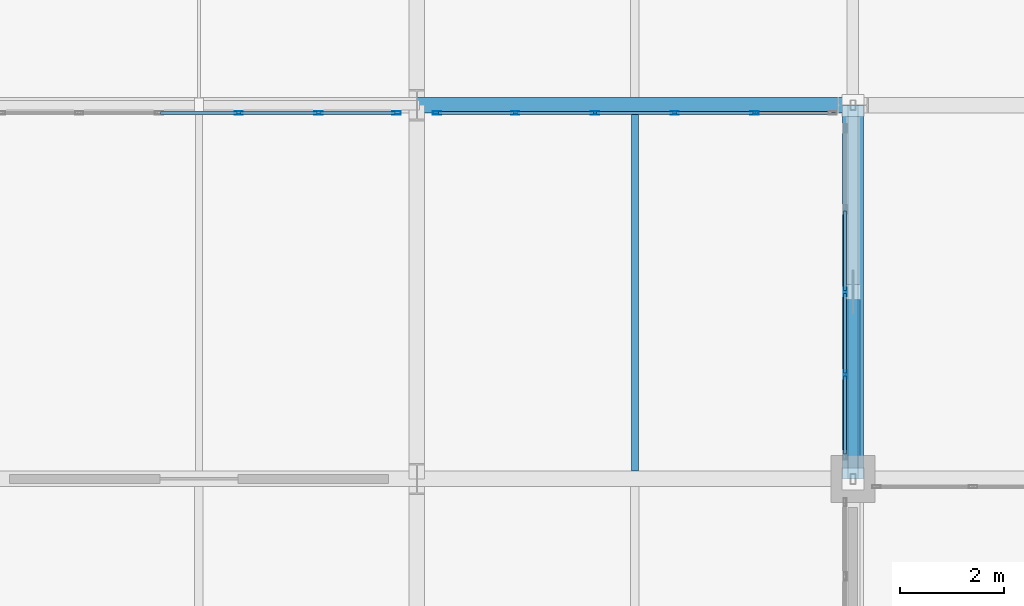
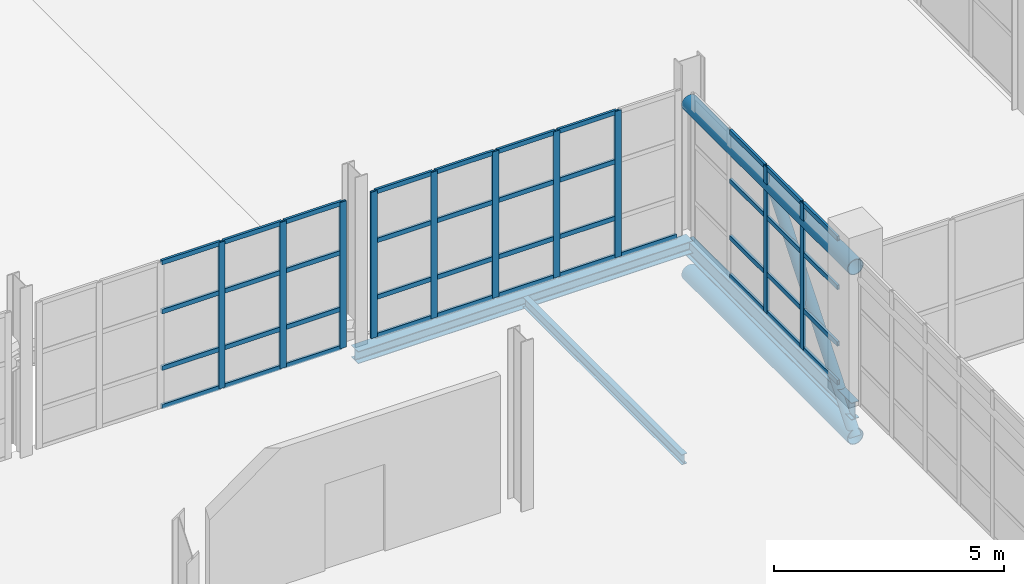
# One storey, part 23 of 130: 54 members, 3 beams, 3 elements without a shape of their own.
"""IFC4 building model written with IfcOpenShell, lengths in metres."""

from ifc_helpers import new_model, si_unit, direction, frame, origin, origin_2d, place, context, subcontext, project, spatial, hollow_rectangle, hollow_circle, i_section, extrude, material, material_profile, profile_set, type_object, element, aggregate, save


model = new_model("IFC4")

# Units and contexts
model_context = context("Model", 3, precision=1e-05, world=origin(), true_north=direction((0.0, 1.0)))
body_context = subcontext(model_context, "Body", "Model", "MODEL_VIEW")
ifc_project = project(units=[si_unit("LENGTHUNIT", "METRE"), si_unit("AREAUNIT", "SQUARE_METRE"), si_unit("VOLUMEUNIT", "CUBIC_METRE"), si_unit("PLANEANGLEUNIT", "RADIAN"), si_unit("MASSUNIT", "GRAM", prefix="KILO")], contexts=[model_context])

# Site, building, storey
site_placement = place(None, origin())
site = spatial("IfcSite", under=ifc_project, at=site_placement, CompositionType="ELEMENT")
building_placement = place(site_placement, origin())
building = spatial("IfcBuilding", under=site, at=building_placement, Name="Veltarok Museum of Natural Sciences", CompositionType="ELEMENT")
storey_placement = place(building_placement, frame((0.0, 0.0, 12.89990234375)))
storey = spatial("IfcBuildingStorey", under=building, at=storey_placement, Name="L02", CompositionType="ELEMENT", Elevation=12.89990234375)

# Curtain wall, members
ifc_material_1 = material(Name="Low-iron triple insulated glass", Category="glass")
curtain_wall_type_1 = type_object("IfcCurtainWallType", Name="Curtain Wall System CW-BRG-E-L02-CD-636x388 (Bridge East Court L02 CD 636x388cm)", PredefinedType="NOTDEFINED", material=ifc_material_1)
curtain_wall_1_placement = place(storey_placement, origin())
curtain_wall_1 = element("IfcCurtainWall", 1, at=curtain_wall_1_placement, inside=storey, type_object=curtain_wall_type_1, Name="Curtain Wall CW-BRG-E-L02-CD-636x388 CW-0032", PredefinedType="NOTDEFINED")
ifc_material_2 = material(Name="Thermally broken anodised aluminium", Category="aluminium")
ifc_material_profile_1 = material_profile(ifc_material_2, hollow_rectangle(XDim=0.06005859375, YDim=0.1201171875, WallThickness=0.0048828125, at=origin_2d()), Name="CW TRANSOM 60x120x5")
ifc_profile_set_1 = profile_set([ifc_material_profile_1], Name="Thermally broken anodised aluminium")
member_type_1 = type_object("IfcMemberType", Name="Curtain Wall Horizontal Transom 60x120x5", PredefinedType="USERDEFINED", material=ifc_profile_set_1)
member_1_placement = place(storey_placement, frame((31.449951171875, 19.679931640625, 0.030029296875), z_axis=(0.0, 1.0, 0.0), x_axis=(-1.0, 0.0, 0.0)))
member_1 = element("IfcMember", 2, at=member_1_placement, type_object=member_type_1, Name="CW-BRG-E-L02-CD-636x388 transom 1.1", ObjectType="TRANSOM", PredefinedType="USERDEFINED", context=body_context, shape_type="SweptSolid", body=[
    extrude(hollow_rectangle(XDim=0.06005859375, YDim=0.1201171875, WallThickness=0.0048828125, at=origin_2d()), origin(), (0.0, 0.0, 1.0), 1.5),
])
member_2_placement = place(storey_placement, frame((31.449951171875, 19.679931640625, 1.050048828125), z_axis=(0.0, 1.0, 0.0), x_axis=(-1.0, 0.0, 0.0)))
member_2 = element("IfcMember", 3, at=member_2_placement, type_object=member_type_1, Name="CW-BRG-E-L02-CD-636x388 transom 1.2", ObjectType="TRANSOM", PredefinedType="USERDEFINED", context=body_context, shape_type="SweptSolid", body=[
    extrude(hollow_rectangle(XDim=0.06005859375, YDim=0.1201171875, WallThickness=0.0048828125, at=origin_2d()), origin(), (0.0, 0.0, 1.0), 1.5),
])
member_3_placement = place(storey_placement, frame((31.449951171875, 19.679931640625, 2.550048828125), z_axis=(0.0, 1.0, 0.0), x_axis=(-1.0, 0.0, 0.0)))
member_3 = element("IfcMember", 4, at=member_3_placement, type_object=member_type_1, Name="CW-BRG-E-L02-CD-636x388 transom 1.3", ObjectType="TRANSOM", PredefinedType="USERDEFINED", context=body_context, shape_type="SweptSolid", body=[
    extrude(hollow_rectangle(XDim=0.06005859375, YDim=0.1201171875, WallThickness=0.0048828125, at=origin_2d()), origin(), (0.0, 0.0, 1.0), 1.5),
])
member_4_placement = place(storey_placement, frame((31.449951171875, 19.679931640625, 3.85009765625), z_axis=(0.0, 1.0, 0.0), x_axis=(-1.0, 0.0, 0.0)))
member_4 = element("IfcMember", 5, at=member_4_placement, type_object=member_type_1, Name="CW-BRG-E-L02-CD-636x388 transom 1.4", ObjectType="TRANSOM", PredefinedType="USERDEFINED", context=body_context, shape_type="SweptSolid", body=[
    extrude(hollow_rectangle(XDim=0.06005859375, YDim=0.1201171875, WallThickness=0.0048828125, at=origin_2d()), origin(), (0.0, 0.0, 1.0), 1.5),
])
member_5_placement = place(storey_placement, frame((31.449951171875, 21.239990234375, 0.030029296875), z_axis=(0.0, 1.0, 0.0), x_axis=(-1.0, 0.0, 0.0)))
member_5 = element("IfcMember", 6, at=member_5_placement, type_object=member_type_1, Name="CW-BRG-E-L02-CD-636x388 transom 2.1", ObjectType="TRANSOM", PredefinedType="USERDEFINED", context=body_context, shape_type="SweptSolid", body=[
    extrude(hollow_rectangle(XDim=0.06005859375, YDim=0.1201171875, WallThickness=0.0048828125, at=origin_2d()), origin(), (0.0, 0.0, 1.0), 1.530029296875),
])
member_6_placement = place(storey_placement, frame((31.449951171875, 21.239990234375, 1.050048828125), z_axis=(0.0, 1.0, 0.0), x_axis=(-1.0, 0.0, 0.0)))
member_6 = element("IfcMember", 7, at=member_6_placement, type_object=member_type_1, Name="CW-BRG-E-L02-CD-636x388 transom 2.2", ObjectType="TRANSOM", PredefinedType="USERDEFINED", context=body_context, shape_type="SweptSolid", body=[
    extrude(hollow_rectangle(XDim=0.06005859375, YDim=0.1201171875, WallThickness=0.0048828125, at=origin_2d()), origin(), (0.0, 0.0, 1.0), 1.530029296875),
])
member_7_placement = place(storey_placement, frame((31.449951171875, 21.239990234375, 2.550048828125), z_axis=(0.0, 1.0, 0.0), x_axis=(-1.0, 0.0, 0.0)))
member_7 = element("IfcMember", 8, at=member_7_placement, type_object=member_type_1, Name="CW-BRG-E-L02-CD-636x388 transom 2.3", ObjectType="TRANSOM", PredefinedType="USERDEFINED", context=body_context, shape_type="SweptSolid", body=[
    extrude(hollow_rectangle(XDim=0.06005859375, YDim=0.1201171875, WallThickness=0.0048828125, at=origin_2d()), origin(), (0.0, 0.0, 1.0), 1.530029296875),
])
member_8_placement = place(storey_placement, frame((31.449951171875, 21.239990234375, 3.85009765625), z_axis=(0.0, 1.0, 0.0), x_axis=(-1.0, 0.0, 0.0)))
member_8 = element("IfcMember", 9, at=member_8_placement, type_object=member_type_1, Name="CW-BRG-E-L02-CD-636x388 transom 2.4", ObjectType="TRANSOM", PredefinedType="USERDEFINED", context=body_context, shape_type="SweptSolid", body=[
    extrude(hollow_rectangle(XDim=0.06005859375, YDim=0.1201171875, WallThickness=0.0048828125, at=origin_2d()), origin(), (0.0, 0.0, 1.0), 1.530029296875),
])
member_9_placement = place(storey_placement, frame((31.449951171875, 22.830078125, 0.030029296875), z_axis=(0.0, 1.0, 0.0), x_axis=(-1.0, 0.0, 0.0)))
member_9 = element("IfcMember", 10, at=member_9_placement, type_object=member_type_1, Name="CW-BRG-E-L02-CD-636x388 transom 3.1", ObjectType="TRANSOM", PredefinedType="USERDEFINED", context=body_context, shape_type="SweptSolid", body=[
    extrude(hollow_rectangle(XDim=0.06005859375, YDim=0.1201171875, WallThickness=0.0048828125, at=origin_2d()), origin(), (0.0, 0.0, 1.0), 1.530029296875),
])
member_10_placement = place(storey_placement, frame((31.449951171875, 22.830078125, 1.050048828125), z_axis=(0.0, 1.0, 0.0), x_axis=(-1.0, 0.0, 0.0)))
member_10 = element("IfcMember", 11, at=member_10_placement, type_object=member_type_1, Name="CW-BRG-E-L02-CD-636x388 transom 3.2", ObjectType="TRANSOM", PredefinedType="USERDEFINED", context=body_context, shape_type="SweptSolid", body=[
    extrude(hollow_rectangle(XDim=0.06005859375, YDim=0.1201171875, WallThickness=0.0048828125, at=origin_2d()), origin(), (0.0, 0.0, 1.0), 1.530029296875),
])
member_11_placement = place(storey_placement, frame((31.449951171875, 22.830078125, 2.550048828125), z_axis=(0.0, 1.0, 0.0), x_axis=(-1.0, 0.0, 0.0)))
member_11 = element("IfcMember", 12, at=member_11_placement, type_object=member_type_1, Name="CW-BRG-E-L02-CD-636x388 transom 3.3", ObjectType="TRANSOM", PredefinedType="USERDEFINED", context=body_context, shape_type="SweptSolid", body=[
    extrude(hollow_rectangle(XDim=0.06005859375, YDim=0.1201171875, WallThickness=0.0048828125, at=origin_2d()), origin(), (0.0, 0.0, 1.0), 1.530029296875),
])
member_12_placement = place(storey_placement, frame((31.449951171875, 22.830078125, 3.85009765625), z_axis=(0.0, 1.0, 0.0), x_axis=(-1.0, 0.0, 0.0)))
member_12 = element("IfcMember", 13, at=member_12_placement, type_object=member_type_1, Name="CW-BRG-E-L02-CD-636x388 transom 3.4", ObjectType="TRANSOM", PredefinedType="USERDEFINED", context=body_context, shape_type="SweptSolid", body=[
    extrude(hollow_rectangle(XDim=0.06005859375, YDim=0.1201171875, WallThickness=0.0048828125, at=origin_2d()), origin(), (0.0, 0.0, 1.0), 1.530029296875),
])

curtain_wall_type_2 = type_object("IfcCurtainWallType", Name="Curtain Wall System CW-BRG-N-L02-2-768x388 (Bridge North Court L02 2-3 768x388cm)", PredefinedType="NOTDEFINED", material=ifc_material_1)
curtain_wall_2_placement = place(storey_placement, origin())
curtain_wall_2 = element("IfcCurtainWall", 14, at=curtain_wall_2_placement, inside=storey, type_object=curtain_wall_type_2, Name="Curtain Wall CW-BRG-N-L02-2-768x388 CW-0034", PredefinedType="NOTDEFINED")
member_13_placement = place(storey_placement, frame((22.780029296875, 26.25, 0.030029296875), z_axis=(-1.0, 0.0, 0.0), x_axis=(0.0, -1.0, 0.0)))
member_13 = element("IfcMember", 15, at=member_13_placement, type_object=member_type_1, Name="CW-BRG-N-L02-2-768x388 transom 1.1", ObjectType="TRANSOM", PredefinedType="USERDEFINED", context=body_context, shape_type="SweptSolid", body=[
    extrude(hollow_rectangle(XDim=0.06005859375, YDim=0.1201171875, WallThickness=0.0048828125, at=origin_2d()), origin(), (0.0, 0.0, 1.0), 1.446044921875),
])
member_14_placement = place(storey_placement, frame((22.780029296875, 26.25, 1.050048828125), z_axis=(-1.0, 0.0, 0.0), x_axis=(0.0, -1.0, 0.0)))
member_14 = element("IfcMember", 16, at=member_14_placement, type_object=member_type_1, Name="CW-BRG-N-L02-2-768x388 transom 1.2", ObjectType="TRANSOM", PredefinedType="USERDEFINED", context=body_context, shape_type="SweptSolid", body=[
    extrude(hollow_rectangle(XDim=0.06005859375, YDim=0.1201171875, WallThickness=0.0048828125, at=origin_2d()), origin(), (0.0, 0.0, 1.0), 1.446044921875),
])
member_15_placement = place(storey_placement, frame((22.780029296875, 26.25, 2.550048828125), z_axis=(-1.0, 0.0, 0.0), x_axis=(0.0, -1.0, 0.0)))
member_15 = element("IfcMember", 17, at=member_15_placement, type_object=member_type_1, Name="CW-BRG-N-L02-2-768x388 transom 1.3", ObjectType="TRANSOM", PredefinedType="USERDEFINED", context=body_context, shape_type="SweptSolid", body=[
    extrude(hollow_rectangle(XDim=0.06005859375, YDim=0.1201171875, WallThickness=0.0048828125, at=origin_2d()), origin(), (0.0, 0.0, 1.0), 1.446044921875),
])
member_16_placement = place(storey_placement, frame((22.780029296875, 26.25, 3.85009765625), z_axis=(-1.0, 0.0, 0.0), x_axis=(0.0, -1.0, 0.0)))
member_16 = element("IfcMember", 18, at=member_16_placement, type_object=member_type_1, Name="CW-BRG-N-L02-2-768x388 transom 1.4", ObjectType="TRANSOM", PredefinedType="USERDEFINED", context=body_context, shape_type="SweptSolid", body=[
    extrude(hollow_rectangle(XDim=0.06005859375, YDim=0.1201171875, WallThickness=0.0048828125, at=origin_2d()), origin(), (0.0, 0.0, 1.0), 1.446044921875),
])
member_17_placement = place(storey_placement, frame((21.27392578125, 26.25, 0.030029296875), z_axis=(-1.0, 0.0, 0.0), x_axis=(0.0, -1.0, 0.0)))
member_17 = element("IfcMember", 19, at=member_17_placement, type_object=member_type_1, Name="CW-BRG-N-L02-2-768x388 transom 2.1", ObjectType="TRANSOM", PredefinedType="USERDEFINED", context=body_context, shape_type="SweptSolid", body=[
    extrude(hollow_rectangle(XDim=0.06005859375, YDim=0.1201171875, WallThickness=0.0048828125, at=origin_2d()), origin(), (0.0, 0.0, 1.0), 1.475830078125),
])
member_18_placement = place(storey_placement, frame((21.27392578125, 26.25, 1.050048828125), z_axis=(-1.0, 0.0, 0.0), x_axis=(0.0, -1.0, 0.0)))
member_18 = element("IfcMember", 20, at=member_18_placement, type_object=member_type_1, Name="CW-BRG-N-L02-2-768x388 transom 2.2", ObjectType="TRANSOM", PredefinedType="USERDEFINED", context=body_context, shape_type="SweptSolid", body=[
    extrude(hollow_rectangle(XDim=0.06005859375, YDim=0.1201171875, WallThickness=0.0048828125, at=origin_2d()), origin(), (0.0, 0.0, 1.0), 1.475830078125),
])
member_19_placement = place(storey_placement, frame((21.27392578125, 26.25, 2.550048828125), z_axis=(-1.0, 0.0, 0.0), x_axis=(0.0, -1.0, 0.0)))
member_19 = element("IfcMember", 21, at=member_19_placement, type_object=member_type_1, Name="CW-BRG-N-L02-2-768x388 transom 2.3", ObjectType="TRANSOM", PredefinedType="USERDEFINED", context=body_context, shape_type="SweptSolid", body=[
    extrude(hollow_rectangle(XDim=0.06005859375, YDim=0.1201171875, WallThickness=0.0048828125, at=origin_2d()), origin(), (0.0, 0.0, 1.0), 1.475830078125),
])
member_20_placement = place(storey_placement, frame((21.27392578125, 26.25, 3.85009765625), z_axis=(-1.0, 0.0, 0.0), x_axis=(0.0, -1.0, 0.0)))
member_20 = element("IfcMember", 22, at=member_20_placement, type_object=member_type_1, Name="CW-BRG-N-L02-2-768x388 transom 2.4", ObjectType="TRANSOM", PredefinedType="USERDEFINED", context=body_context, shape_type="SweptSolid", body=[
    extrude(hollow_rectangle(XDim=0.06005859375, YDim=0.1201171875, WallThickness=0.0048828125, at=origin_2d()), origin(), (0.0, 0.0, 1.0), 1.475830078125),
])
member_21_placement = place(storey_placement, frame((19.738037109375, 26.25, 0.030029296875), z_axis=(-1.0, 0.0, 0.0), x_axis=(0.0, -1.0, 0.0)))
member_21 = element("IfcMember", 23, at=member_21_placement, type_object=member_type_1, Name="CW-BRG-N-L02-2-768x388 transom 3.1", ObjectType="TRANSOM", PredefinedType="USERDEFINED", context=body_context, shape_type="SweptSolid", body=[
    extrude(hollow_rectangle(XDim=0.06005859375, YDim=0.1201171875, WallThickness=0.0048828125, at=origin_2d()), origin(), (0.0, 0.0, 1.0), 1.47607421875),
])
member_22_placement = place(storey_placement, frame((19.738037109375, 26.25, 1.050048828125), z_axis=(-1.0, 0.0, 0.0), x_axis=(0.0, -1.0, 0.0)))
member_22 = element("IfcMember", 24, at=member_22_placement, type_object=member_type_1, Name="CW-BRG-N-L02-2-768x388 transom 3.2", ObjectType="TRANSOM", PredefinedType="USERDEFINED", context=body_context, shape_type="SweptSolid", body=[
    extrude(hollow_rectangle(XDim=0.06005859375, YDim=0.1201171875, WallThickness=0.0048828125, at=origin_2d()), origin(), (0.0, 0.0, 1.0), 1.47607421875),
])
member_23_placement = place(storey_placement, frame((19.738037109375, 26.25, 2.550048828125), z_axis=(-1.0, 0.0, 0.0), x_axis=(0.0, -1.0, 0.0)))
member_23 = element("IfcMember", 25, at=member_23_placement, type_object=member_type_1, Name="CW-BRG-N-L02-2-768x388 transom 3.3", ObjectType="TRANSOM", PredefinedType="USERDEFINED", context=body_context, shape_type="SweptSolid", body=[
    extrude(hollow_rectangle(XDim=0.06005859375, YDim=0.1201171875, WallThickness=0.0048828125, at=origin_2d()), origin(), (0.0, 0.0, 1.0), 1.47607421875),
])
member_24_placement = place(storey_placement, frame((19.738037109375, 26.25, 3.85009765625), z_axis=(-1.0, 0.0, 0.0), x_axis=(0.0, -1.0, 0.0)))
member_24 = element("IfcMember", 26, at=member_24_placement, type_object=member_type_1, Name="CW-BRG-N-L02-2-768x388 transom 3.4", ObjectType="TRANSOM", PredefinedType="USERDEFINED", context=body_context, shape_type="SweptSolid", body=[
    extrude(hollow_rectangle(XDim=0.06005859375, YDim=0.1201171875, WallThickness=0.0048828125, at=origin_2d()), origin(), (0.0, 0.0, 1.0), 1.47607421875),
])

curtain_wall_type_3 = type_object("IfcCurtainWallType", Name="Curtain Wall System CW-BRG-N-L02-3-768x388 (Bridge North Court L02 3-4 768x388cm)", PredefinedType="NOTDEFINED", material=ifc_material_1)
curtain_wall_3_placement = place(storey_placement, origin())
curtain_wall_3 = element("IfcCurtainWall", 27, at=curtain_wall_3_placement, inside=storey, type_object=curtain_wall_type_3, Name="Curtain Wall CW-BRG-N-L02-3-768x388 CW-0035", PredefinedType="NOTDEFINED")
member_25_placement = place(storey_placement, frame((31.179931640625, 26.25, 0.030029296875), z_axis=(-1.0, 0.0, 0.0), x_axis=(0.0, -1.0, 0.0)))
member_25 = element("IfcMember", 28, at=member_25_placement, type_object=member_type_1, Name="CW-BRG-N-L02-3-768x388 transom 1.1", ObjectType="TRANSOM", PredefinedType="USERDEFINED", context=body_context, shape_type="SweptSolid", body=[
    extrude(hollow_rectangle(XDim=0.06005859375, YDim=0.1201171875, WallThickness=0.0048828125, at=origin_2d()), origin(), (0.0, 0.0, 1.0), 1.446044921875),
])
member_26_placement = place(storey_placement, frame((29.674072265625, 26.25, 0.030029296875), z_axis=(-1.0, 0.0, 0.0), x_axis=(0.0, -1.0, 0.0)))
member_26 = element("IfcMember", 29, at=member_26_placement, type_object=member_type_1, Name="CW-BRG-N-L02-3-768x388 transom 2.1", ObjectType="TRANSOM", PredefinedType="USERDEFINED", context=body_context, shape_type="SweptSolid", body=[
    extrude(hollow_rectangle(XDim=0.06005859375, YDim=0.1201171875, WallThickness=0.0048828125, at=origin_2d()), origin(), (0.0, 0.0, 1.0), 1.47607421875),
])
member_27_placement = place(storey_placement, frame((29.674072265625, 26.25, 1.050048828125), z_axis=(-1.0, 0.0, 0.0), x_axis=(0.0, -1.0, 0.0)))
member_27 = element("IfcMember", 30, at=member_27_placement, type_object=member_type_1, Name="CW-BRG-N-L02-3-768x388 transom 2.2", ObjectType="TRANSOM", PredefinedType="USERDEFINED", context=body_context, shape_type="SweptSolid", body=[
    extrude(hollow_rectangle(XDim=0.06005859375, YDim=0.1201171875, WallThickness=0.0048828125, at=origin_2d()), origin(), (0.0, 0.0, 1.0), 1.47607421875),
])
member_28_placement = place(storey_placement, frame((29.674072265625, 26.25, 2.550048828125), z_axis=(-1.0, 0.0, 0.0), x_axis=(0.0, -1.0, 0.0)))
member_28 = element("IfcMember", 31, at=member_28_placement, type_object=member_type_1, Name="CW-BRG-N-L02-3-768x388 transom 2.3", ObjectType="TRANSOM", PredefinedType="USERDEFINED", context=body_context, shape_type="SweptSolid", body=[
    extrude(hollow_rectangle(XDim=0.06005859375, YDim=0.1201171875, WallThickness=0.0048828125, at=origin_2d()), origin(), (0.0, 0.0, 1.0), 1.47607421875),
])
member_29_placement = place(storey_placement, frame((29.674072265625, 26.25, 3.85009765625), z_axis=(-1.0, 0.0, 0.0), x_axis=(0.0, -1.0, 0.0)))
member_29 = element("IfcMember", 32, at=member_29_placement, type_object=member_type_1, Name="CW-BRG-N-L02-3-768x388 transom 2.4", ObjectType="TRANSOM", PredefinedType="USERDEFINED", context=body_context, shape_type="SweptSolid", body=[
    extrude(hollow_rectangle(XDim=0.06005859375, YDim=0.1201171875, WallThickness=0.0048828125, at=origin_2d()), origin(), (0.0, 0.0, 1.0), 1.47607421875),
])
member_30_placement = place(storey_placement, frame((28.137939453125, 26.25, 0.030029296875), z_axis=(-1.0, 0.0, 0.0), x_axis=(0.0, -1.0, 0.0)))
member_30 = element("IfcMember", 33, at=member_30_placement, type_object=member_type_1, Name="CW-BRG-N-L02-3-768x388 transom 3.1", ObjectType="TRANSOM", PredefinedType="USERDEFINED", context=body_context, shape_type="SweptSolid", body=[
    extrude(hollow_rectangle(XDim=0.06005859375, YDim=0.1201171875, WallThickness=0.0048828125, at=origin_2d()), origin(), (0.0, 0.0, 1.0), 1.475830078125),
])
member_31_placement = place(storey_placement, frame((28.137939453125, 26.25, 1.050048828125), z_axis=(-1.0, 0.0, 0.0), x_axis=(0.0, -1.0, 0.0)))
member_31 = element("IfcMember", 34, at=member_31_placement, type_object=member_type_1, Name="CW-BRG-N-L02-3-768x388 transom 3.2", ObjectType="TRANSOM", PredefinedType="USERDEFINED", context=body_context, shape_type="SweptSolid", body=[
    extrude(hollow_rectangle(XDim=0.06005859375, YDim=0.1201171875, WallThickness=0.0048828125, at=origin_2d()), origin(), (0.0, 0.0, 1.0), 1.475830078125),
])
member_32_placement = place(storey_placement, frame((28.137939453125, 26.25, 2.550048828125), z_axis=(-1.0, 0.0, 0.0), x_axis=(0.0, -1.0, 0.0)))
member_32 = element("IfcMember", 35, at=member_32_placement, type_object=member_type_1, Name="CW-BRG-N-L02-3-768x388 transom 3.3", ObjectType="TRANSOM", PredefinedType="USERDEFINED", context=body_context, shape_type="SweptSolid", body=[
    extrude(hollow_rectangle(XDim=0.06005859375, YDim=0.1201171875, WallThickness=0.0048828125, at=origin_2d()), origin(), (0.0, 0.0, 1.0), 1.475830078125),
])
member_33_placement = place(storey_placement, frame((28.137939453125, 26.25, 3.85009765625), z_axis=(-1.0, 0.0, 0.0), x_axis=(0.0, -1.0, 0.0)))
member_33 = element("IfcMember", 36, at=member_33_placement, type_object=member_type_1, Name="CW-BRG-N-L02-3-768x388 transom 3.4", ObjectType="TRANSOM", PredefinedType="USERDEFINED", context=body_context, shape_type="SweptSolid", body=[
    extrude(hollow_rectangle(XDim=0.06005859375, YDim=0.1201171875, WallThickness=0.0048828125, at=origin_2d()), origin(), (0.0, 0.0, 1.0), 1.475830078125),
])
member_34_placement = place(storey_placement, frame((26.60205078125, 26.25, 0.030029296875), z_axis=(-1.0, 0.0, 0.0), x_axis=(0.0, -1.0, 0.0)))
member_34 = element("IfcMember", 37, at=member_34_placement, type_object=member_type_1, Name="CW-BRG-N-L02-3-768x388 transom 4.1", ObjectType="TRANSOM", PredefinedType="USERDEFINED", context=body_context, shape_type="SweptSolid", body=[
    extrude(hollow_rectangle(XDim=0.06005859375, YDim=0.1201171875, WallThickness=0.0048828125, at=origin_2d()), origin(), (0.0, 0.0, 1.0), 1.47607421875),
])
member_35_placement = place(storey_placement, frame((26.60205078125, 26.25, 1.050048828125), z_axis=(-1.0, 0.0, 0.0), x_axis=(0.0, -1.0, 0.0)))
member_35 = element("IfcMember", 38, at=member_35_placement, type_object=member_type_1, Name="CW-BRG-N-L02-3-768x388 transom 4.2", ObjectType="TRANSOM", PredefinedType="USERDEFINED", context=body_context, shape_type="SweptSolid", body=[
    extrude(hollow_rectangle(XDim=0.06005859375, YDim=0.1201171875, WallThickness=0.0048828125, at=origin_2d()), origin(), (0.0, 0.0, 1.0), 1.47607421875),
])
member_36_placement = place(storey_placement, frame((26.60205078125, 26.25, 2.550048828125), z_axis=(-1.0, 0.0, 0.0), x_axis=(0.0, -1.0, 0.0)))
member_36 = element("IfcMember", 39, at=member_36_placement, type_object=member_type_1, Name="CW-BRG-N-L02-3-768x388 transom 4.3", ObjectType="TRANSOM", PredefinedType="USERDEFINED", context=body_context, shape_type="SweptSolid", body=[
    extrude(hollow_rectangle(XDim=0.06005859375, YDim=0.1201171875, WallThickness=0.0048828125, at=origin_2d()), origin(), (0.0, 0.0, 1.0), 1.47607421875),
])
member_37_placement = place(storey_placement, frame((26.60205078125, 26.25, 3.85009765625), z_axis=(-1.0, 0.0, 0.0), x_axis=(0.0, -1.0, 0.0)))
member_37 = element("IfcMember", 40, at=member_37_placement, type_object=member_type_1, Name="CW-BRG-N-L02-3-768x388 transom 4.4", ObjectType="TRANSOM", PredefinedType="USERDEFINED", context=body_context, shape_type="SweptSolid", body=[
    extrude(hollow_rectangle(XDim=0.06005859375, YDim=0.1201171875, WallThickness=0.0048828125, at=origin_2d()), origin(), (0.0, 0.0, 1.0), 1.47607421875),
])
member_38_placement = place(storey_placement, frame((25.06591796875, 26.25, 0.030029296875), z_axis=(-1.0, 0.0, 0.0), x_axis=(0.0, -1.0, 0.0)))
member_38 = element("IfcMember", 41, at=member_38_placement, type_object=member_type_1, Name="CW-BRG-N-L02-3-768x388 transom 5.1", ObjectType="TRANSOM", PredefinedType="USERDEFINED", context=body_context, shape_type="SweptSolid", body=[
    extrude(hollow_rectangle(XDim=0.06005859375, YDim=0.1201171875, WallThickness=0.0048828125, at=origin_2d()), origin(), (0.0, 0.0, 1.0), 1.44580078125),
])
member_39_placement = place(storey_placement, frame((25.06591796875, 26.25, 1.050048828125), z_axis=(-1.0, 0.0, 0.0), x_axis=(0.0, -1.0, 0.0)))
member_39 = element("IfcMember", 42, at=member_39_placement, type_object=member_type_1, Name="CW-BRG-N-L02-3-768x388 transom 5.2", ObjectType="TRANSOM", PredefinedType="USERDEFINED", context=body_context, shape_type="SweptSolid", body=[
    extrude(hollow_rectangle(XDim=0.06005859375, YDim=0.1201171875, WallThickness=0.0048828125, at=origin_2d()), origin(), (0.0, 0.0, 1.0), 1.44580078125),
])
member_40_placement = place(storey_placement, frame((25.06591796875, 26.25, 2.550048828125), z_axis=(-1.0, 0.0, 0.0), x_axis=(0.0, -1.0, 0.0)))
member_40 = element("IfcMember", 43, at=member_40_placement, type_object=member_type_1, Name="CW-BRG-N-L02-3-768x388 transom 5.3", ObjectType="TRANSOM", PredefinedType="USERDEFINED", context=body_context, shape_type="SweptSolid", body=[
    extrude(hollow_rectangle(XDim=0.06005859375, YDim=0.1201171875, WallThickness=0.0048828125, at=origin_2d()), origin(), (0.0, 0.0, 1.0), 1.44580078125),
])
member_41_placement = place(storey_placement, frame((25.06591796875, 26.25, 3.85009765625), z_axis=(-1.0, 0.0, 0.0), x_axis=(0.0, -1.0, 0.0)))
member_41 = element("IfcMember", 44, at=member_41_placement, type_object=member_type_1, Name="CW-BRG-N-L02-3-768x388 transom 5.4", ObjectType="TRANSOM", PredefinedType="USERDEFINED", context=body_context, shape_type="SweptSolid", body=[
    extrude(hollow_rectangle(XDim=0.06005859375, YDim=0.1201171875, WallThickness=0.0048828125, at=origin_2d()), origin(), (0.0, 0.0, 1.0), 1.44580078125),
])

# Member
ifc_material_profile_2 = material_profile(ifc_material_2, hollow_rectangle(XDim=0.06005859375, YDim=0.159912109375, WallThickness=0.0048828125, at=origin_2d()), Name="CW MULLION 60x160x5")
ifc_profile_set_2 = profile_set([ifc_material_profile_2], Name="Thermally broken anodised aluminium")
member_type_2 = type_object("IfcMemberType", Name="Curtain Wall Vertical Mullion 60x160x5", PredefinedType="MULLION", material=ifc_profile_set_2)
member_42_placement = place(storey_placement, frame((31.449951171875, 21.2099609375, 0.0), z_axis=(0.0, 0.0, 1.0), x_axis=(-1.0, 0.0, 0.0)))
member_42 = element("IfcMember", 45, at=member_42_placement, type_object=member_type_2, Name="CW-BRG-E-L02-CD-636x388 mullion 2", PredefinedType="MULLION", context=body_context, shape_type="SweptSolid", body=[
    extrude(hollow_rectangle(XDim=0.06005859375, YDim=0.159912109375, WallThickness=0.0048828125, at=origin_2d()), origin(), (0.0, 0.0, 1.0), 3.880126953125),
])

member_43_placement = place(storey_placement, frame((31.449951171875, 22.800048828125, 0.0), z_axis=(0.0, 0.0, 1.0), x_axis=(-1.0, 0.0, 0.0)))
member_43 = element("IfcMember", 46, at=member_43_placement, type_object=member_type_2, Name="CW-BRG-E-L02-CD-636x388 mullion 3", PredefinedType="MULLION", context=body_context, shape_type="SweptSolid", body=[
    extrude(hollow_rectangle(XDim=0.06005859375, YDim=0.159912109375, WallThickness=0.0048828125, at=origin_2d()), origin(), (0.0, 0.0, 1.0), 3.880126953125),
])

aggregate(curtain_wall_1, [member_42, member_43, member_1, member_2, member_3, member_4, member_5, member_6, member_7, member_8, member_9, member_10, member_11, member_12])

member_44_placement = place(storey_placement, frame((22.81005859375, 26.25, 0.0), z_axis=(0.0, 0.0, 1.0), x_axis=(0.0, -1.0, 0.0)))
member_44 = element("IfcMember", 47, at=member_44_placement, type_object=member_type_2, Name="CW-BRG-N-L02-2-768x388 mullion 1", PredefinedType="MULLION", context=body_context, shape_type="SweptSolid", body=[
    extrude(hollow_rectangle(XDim=0.06005859375, YDim=0.159912109375, WallThickness=0.0048828125, at=origin_2d()), origin(), (0.0, 0.0, 1.0), 3.880126953125),
])

member_45_placement = place(storey_placement, frame((21.303955078125, 26.25, 0.0), z_axis=(0.0, 0.0, 1.0), x_axis=(0.0, -1.0, 0.0)))
member_45 = element("IfcMember", 48, at=member_45_placement, type_object=member_type_2, Name="CW-BRG-N-L02-2-768x388 mullion 2", PredefinedType="MULLION", context=body_context, shape_type="SweptSolid", body=[
    extrude(hollow_rectangle(XDim=0.06005859375, YDim=0.159912109375, WallThickness=0.0048828125, at=origin_2d()), origin(), (0.0, 0.0, 1.0), 3.880126953125),
])

member_46_placement = place(storey_placement, frame((19.76806640625, 26.25, 0.0), z_axis=(0.0, 0.0, 1.0), x_axis=(0.0, -1.0, 0.0)))
member_46 = element("IfcMember", 49, at=member_46_placement, type_object=member_type_2, Name="CW-BRG-N-L02-2-768x388 mullion 3", PredefinedType="MULLION", context=body_context, shape_type="SweptSolid", body=[
    extrude(hollow_rectangle(XDim=0.06005859375, YDim=0.159912109375, WallThickness=0.0048828125, at=origin_2d()), origin(), (0.0, 0.0, 1.0), 3.880126953125),
])

aggregate(curtain_wall_2, [member_44, member_45, member_46, member_13, member_14, member_15, member_16, member_17, member_18, member_19, member_20, member_21, member_22, member_23, member_24])

member_47_placement = place(storey_placement, frame((29.7041015625, 26.25, 0.0), z_axis=(0.0, 0.0, 1.0), x_axis=(0.0, -1.0, 0.0)))
member_47 = element("IfcMember", 50, at=member_47_placement, type_object=member_type_2, Name="CW-BRG-N-L02-3-768x388 mullion 2", PredefinedType="MULLION", context=body_context, shape_type="SweptSolid", body=[
    extrude(hollow_rectangle(XDim=0.06005859375, YDim=0.159912109375, WallThickness=0.0048828125, at=origin_2d()), origin(), (0.0, 0.0, 1.0), 3.880126953125),
])

member_48_placement = place(storey_placement, frame((28.16796875, 26.25, 0.0), z_axis=(0.0, 0.0, 1.0), x_axis=(0.0, -1.0, 0.0)))
member_48 = element("IfcMember", 51, at=member_48_placement, type_object=member_type_2, Name="CW-BRG-N-L02-3-768x388 mullion 3", PredefinedType="MULLION", context=body_context, shape_type="SweptSolid", body=[
    extrude(hollow_rectangle(XDim=0.06005859375, YDim=0.159912109375, WallThickness=0.0048828125, at=origin_2d()), origin(), (0.0, 0.0, 1.0), 3.880126953125),
])

member_49_placement = place(storey_placement, frame((26.632080078125, 26.25, 0.0), z_axis=(0.0, 0.0, 1.0), x_axis=(0.0, -1.0, 0.0)))
member_49 = element("IfcMember", 52, at=member_49_placement, type_object=member_type_2, Name="CW-BRG-N-L02-3-768x388 mullion 4", PredefinedType="MULLION", context=body_context, shape_type="SweptSolid", body=[
    extrude(hollow_rectangle(XDim=0.06005859375, YDim=0.159912109375, WallThickness=0.0048828125, at=origin_2d()), origin(), (0.0, 0.0, 1.0), 3.880126953125),
])

member_50_placement = place(storey_placement, frame((25.095947265625, 26.25, 0.0), z_axis=(0.0, 0.0, 1.0), x_axis=(0.0, -1.0, 0.0)))
member_50 = element("IfcMember", 53, at=member_50_placement, type_object=member_type_2, Name="CW-BRG-N-L02-3-768x388 mullion 5", PredefinedType="MULLION", context=body_context, shape_type="SweptSolid", body=[
    extrude(hollow_rectangle(XDim=0.06005859375, YDim=0.159912109375, WallThickness=0.0048828125, at=origin_2d()), origin(), (0.0, 0.0, 1.0), 3.880126953125),
])

member_51_placement = place(storey_placement, frame((23.590087890625, 26.25, 0.0), z_axis=(0.0, 0.0, 1.0), x_axis=(0.0, -1.0, 0.0)))
member_51 = element("IfcMember", 54, at=member_51_placement, type_object=member_type_2, Name="CW-BRG-N-L02-3-768x388 mullion 6", PredefinedType="MULLION", context=body_context, shape_type="SweptSolid", body=[
    extrude(hollow_rectangle(XDim=0.06005859375, YDim=0.159912109375, WallThickness=0.0048828125, at=origin_2d()), origin(), (0.0, 0.0, 1.0), 3.880126953125),
])

aggregate(curtain_wall_3, [member_47, member_48, member_49, member_50, member_51, member_25, member_26, member_27, member_28, member_29, member_30, member_31, member_32, member_33, member_34, member_35, member_36, member_37, member_38, member_39, member_40, member_41])

# Beams
ifc_material_3 = material(Name="Steel S355J2", Category="steel")
ifc_material_profile_3 = material_profile(ifc_material_3, i_section(OverallWidth=0.18994140625, OverallDepth=0.449951171875, WebThickness=0.009521484375, FlangeThickness=0.0146484375, FilletRadius=0.02099609375, at=origin_2d()), Name="IPE 450")
ifc_profile_set_3 = profile_set([ifc_material_profile_3], Name="Steel S355J2")
beam_type_1 = type_object("IfcBeamType", Name="Laboratory Floor Girder IPE 450", PredefinedType="BEAM", material=ifc_profile_set_3)
beam_1_placement = place(storey_placement, frame((31.60009765625, 19.199951171875, -0.474853515625), z_axis=(0.0, 1.0, 0.0), x_axis=(-1.0, 0.0, 0.0)))
element("IfcBeam", 55, at=beam_1_placement, inside=storey, type_object=beam_type_1, Name="Beam BM-G05 L02 4/C-D", PredefinedType="BEAM", context=body_context, shape_type="SweptSolid", body=[
    extrude(i_section(OverallWidth=0.18994140625, OverallDepth=0.449951171875, WebThickness=0.009521484375, FlangeThickness=0.0146484375, FilletRadius=0.02099609375, at=origin_2d()), origin(), (0.0, 0.0, 1.0), 7.199951171875),
])
ifc_material_profile_4 = material_profile(ifc_material_3, i_section(OverallWidth=0.300048828125, OverallDepth=0.330078125, WebThickness=0.009521484375, FlangeThickness=0.0166015625, FilletRadius=0.027099609375, at=origin_2d()), Name="HEA 340")
ifc_profile_set_4 = profile_set([ifc_material_profile_4], Name="Steel S355J2")
beam_type_2 = type_object("IfcBeamType", Name="Perimeter Upper Spandrel HEA 340", PredefinedType="SPANDREL", material=ifc_profile_set_4)
beam_2_placement = place(storey_placement, frame((23.199951171875, 26.39990234375, -0.414794921875), z_axis=(1.0, 0.0, 0.0), x_axis=(0.0, 1.0, 0.0)))
element("IfcBeam", 56, at=beam_2_placement, inside=storey, type_object=beam_type_2, Name="Beam BM-SP05 L02 3-4/D", PredefinedType="SPANDREL", context=body_context, shape_type="SweptSolid", body=[
    extrude(i_section(OverallWidth=0.300048828125, OverallDepth=0.330078125, WebThickness=0.009521484375, FlangeThickness=0.0166015625, FilletRadius=0.027099609375, at=origin_2d()), origin(), (0.0, 0.0, 1.0), 8.400146484375),
])
ifc_material_profile_5 = material_profile(ifc_material_3, i_section(OverallWidth=0.135009765625, OverallDepth=0.27001953125, WebThickness=0.006591796875, FlangeThickness=0.01025390625, FilletRadius=0.014892578125, at=origin_2d()), Name="IPE 270")
ifc_profile_set_5 = profile_set([ifc_material_profile_5], Name="Steel S355J2")
beam_type_3 = type_object("IfcBeamType", Name="Short-Bay Composite Joist IPE 270", PredefinedType="JOIST", material=ifc_profile_set_5)
beam_3_placement = place(storey_placement, frame((27.39990234375, 19.347900390625, -0.385009765625), z_axis=(0.0, 1.0, 0.0), x_axis=(-1.0, 0.0, 0.0)))
element("IfcBeam", 57, at=beam_3_placement, inside=storey, type_object=beam_type_3, Name="Secondary Joist BM-J04 L02 3-4/C-D.1", PredefinedType="JOIST", context=body_context, shape_type="SweptSolid", body=[
    extrude(i_section(OverallWidth=0.135009765625, OverallDepth=0.27001953125, WebThickness=0.006591796875, FlangeThickness=0.01025390625, FilletRadius=0.014892578125, at=origin_2d()), origin(), (0.0, 0.0, 1.0), 6.904052734375),
])

# Members
ifc_material_4 = material(Name="Oxide-red painted Steel S355J2", Category="steel")
ifc_material_profile_6 = material_profile(ifc_material_4, hollow_circle(Radius=0.203125, WallThickness=0.01611328125, at=origin_2d()), Name="CHS 406.4x16")
ifc_profile_set_6 = profile_set([ifc_material_profile_6], Name="Oxide-red painted Steel S355J2")
member_type_3 = type_object("IfcMemberType", Name="Transfer Truss Chord CHS 406.4x16", PredefinedType="CHORD", material=ifc_profile_set_6)
for number, where, z_axis, x_axis, name in (
    (58, (31.60009765625, 19.199951171875, -1.169921875), (0.0, 1.0, 0.0), (-1.0, 0.0, 0.0), "Transfer Truss BC 4 3"),
    (59, (31.60009765625, 19.199951171875, 3.330078125), (0.0, 1.0, 0.0), (-1.0, 0.0, 0.0), "Transfer Truss TC 4 3"),
):
    element("IfcMember", number, at=place(storey_placement, frame(where, z_axis=z_axis, x_axis=x_axis)), inside=storey, type_object=member_type_3, Name=name, PredefinedType="CHORD", context=body_context, shape_type="SweptSolid", body=[
        extrude(hollow_circle(Radius=0.203125, WallThickness=0.01611328125, at=origin_2d()), origin(), (0.0, 0.0, 1.0), 7.199951171875),
    ])
ifc_material_profile_7 = material_profile(ifc_material_4, hollow_circle(Radius=0.136474609375, WallThickness=0.012451171875, at=origin_2d()), Name="CHS 273x12.5")
ifc_profile_set_7 = profile_set([ifc_material_profile_7], Name="Oxide-red painted Steel S355J2")
member_type_4 = type_object("IfcMemberType", Name="Transfer Truss Web Diagonal CHS 273x12.5", PredefinedType="BRACE", material=ifc_profile_set_7)
member_52_placement = place(storey_placement, frame((31.60009765625, 19.199951171875, -1.169921875), z_axis=(0.0, 0.624705380279, 0.780860543151), x_axis=(-1.0, 0.0, 0.0)))
element("IfcMember", 60, at=member_52_placement, inside=storey, type_object=member_type_4, Name="Transfer Truss Diagonal 4 27", PredefinedType="BRACE", context=body_context, shape_type="SweptSolid", body=[
    extrude(hollow_circle(Radius=0.136474609375, WallThickness=0.012451171875, at=origin_2d()), origin(), (0.0, 0.0, 1.0), 5.762939453125),
])

save(model, "model.ifc")
